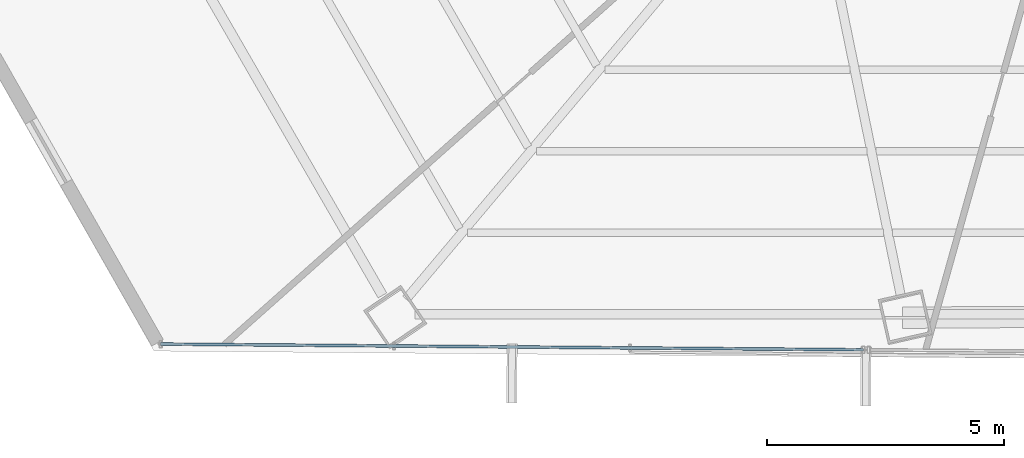
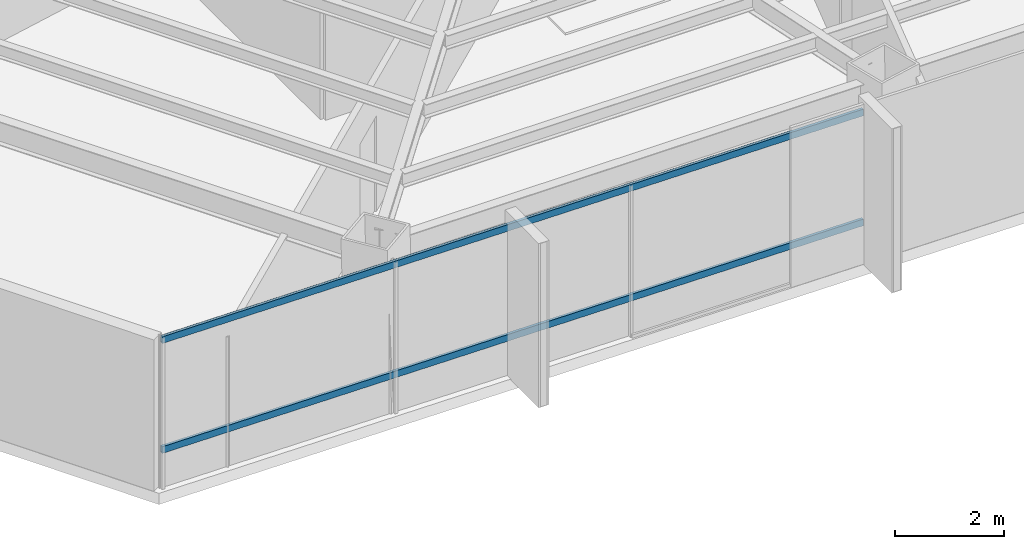
# One storey, part 3 of 39: 2 members, 1 element without a shape of its own.
"""IFC4 building model written with IfcOpenShell, lengths in metres."""

from ifc_helpers import new_model, si_unit, direction, frame, origin, origin_2d, place, context, subcontext, project, spatial, hollow_rectangle, extrude, source, transform, mapped, material, material_profile, profile_set, type_object, type_shapes, element, aggregate, save


model = new_model("IFC4")

# Units and contexts
model_context = context("Model", 3, precision=1e-05, world=origin(), true_north=direction((0.0, 1.0)))
body_context = subcontext(model_context, "Body", "Model", "MODEL_VIEW")
ifc_project = project(units=[si_unit("LENGTHUNIT", "METRE"), si_unit("AREAUNIT", "SQUARE_METRE"), si_unit("VOLUMEUNIT", "CUBIC_METRE"), si_unit("PLANEANGLEUNIT", "RADIAN"), si_unit("MASSUNIT", "GRAM", prefix="KILO")], contexts=[model_context])

# Site, building, storey
site_placement = place(None, origin())
site = spatial("IfcSite", under=ifc_project, at=site_placement, CompositionType="ELEMENT")
building_placement = place(site_placement, origin())
building = spatial("IfcBuilding", under=site, at=building_placement, Name="Caelisora Broadcast Tower", CompositionType="ELEMENT")
storey_placement = place(building_placement, frame((0.0, 0.0, 139.10009765625)))
storey = spatial("IfcBuildingStorey", under=building, at=storey_placement, Name="L36", CompositionType="ELEMENT", Elevation=139.10009765625)

# Curtain wall, members
ifc_material_1 = material(Name="Unitised Aluminium and Low-E Glass Curtain Wall", Category="glass")
curtain_wall_type = type_object("IfcCurtainWallType", Name="CW-Z3", PredefinedType="NOTDEFINED", material=ifc_material_1)
curtain_wall_placement = place(storey_placement, origin())
curtain_wall = element("IfcCurtainWall", 1, at=curtain_wall_placement, inside=storey, type_object=curtain_wall_type, Name="L36 curtain wall CW-Z3", PredefinedType="NOTDEFINED")
ifc_material_2 = material(Name="Aluminium 6063-T6 Anodised Terracotta Bronze", Category="aluminium")
ifc_material_profile = material_profile(ifc_material_2, hollow_rectangle(XDim=0.06005859375, YDim=0.14990234375, WallThickness=0.00341796875, at=origin_2d()), Name="Aluminium 6063-T6 Anodised Terracotta Bronze")
ifc_profile_set = profile_set([ifc_material_profile], Name="Aluminium 6063-T6 Anodised Terracotta Bronze")
member_type = type_object("IfcMemberType", Name="CWT-02", PredefinedType="USERDEFINED", material=ifc_profile_set)
shared_shape = source(origin(), body_context, "Body", "SweptSolid", [
    extrude(hollow_rectangle(XDim=0.06005859375, YDim=0.14990234375, WallThickness=0.00341796875, at=origin_2d()), origin(), (0.0, 0.0, 1.0), 14.830810546875),
])
type_shapes(member_type, [shared_shape])
member_1_placement = place(storey_placement, frame((31.736328125, 6.331298828125, 0.849853515625), z_axis=(-0.999966531218, 0.00818146952, 0.0), x_axis=(-0.00818146952, -0.999966531218, 0.0)))
member_1 = element("IfcMember", 2, at=member_1_placement, type_object=member_type, Name="L36-CW-B07 transom #1", ObjectType="TRANSOM", PredefinedType="USERDEFINED", context=body_context, shape_type="MappedRepresentation", body=[
    mapped(shared_shape, transform((0.0, 0.0, 0.0), scale=1.0)),
])
member_2_placement = place(storey_placement, frame((31.736328125, 6.331298828125, 3.31982421875), z_axis=(-0.999966531218, 0.00818146952, 0.0), x_axis=(-0.00818146952, -0.999966531218, 0.0)))
member_2 = element("IfcMember", 3, at=member_2_placement, type_object=member_type, Name="L36-CW-B07 transom #2", ObjectType="TRANSOM", PredefinedType="USERDEFINED", context=body_context, shape_type="MappedRepresentation", body=[
    mapped(shared_shape, transform((0.0, 0.0, 0.0), scale=1.0)),
])
aggregate(curtain_wall, [member_1, member_2])

save(model, "model.ifc")
